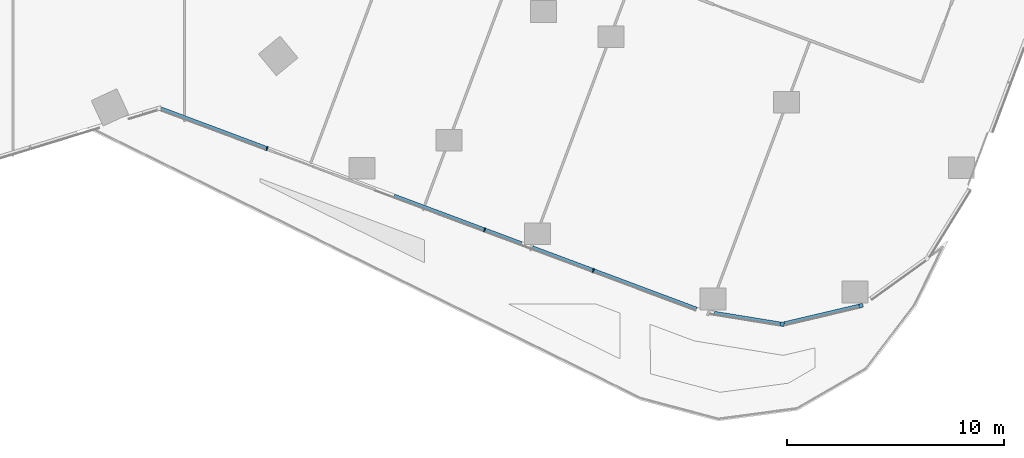
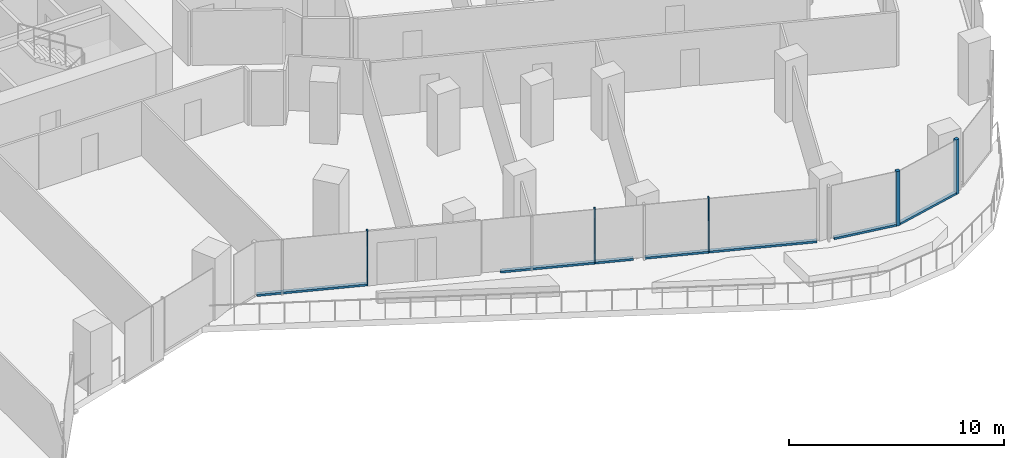
# One storey, part 7 of 30: 10 members, 3 elements without a shape of their own.
"""IFC4 building model written with IfcOpenShell, lengths in metres."""

from ifc_helpers import new_model, si_unit, direction, frame, origin, origin_2d, place, context, subcontext, project, spatial, rectangle, extrude, material, material_profile, profile_set, type_object, element, aggregate, save


model = new_model("IFC4")

# Units and contexts
model_context = context("Model", 3, precision=1e-05, world=origin(), true_north=direction((0.0, 1.0)))
body_context = subcontext(model_context, "Body", "Model", "MODEL_VIEW")
ifc_project = project(units=[si_unit("LENGTHUNIT", "METRE"), si_unit("AREAUNIT", "SQUARE_METRE"), si_unit("VOLUMEUNIT", "CUBIC_METRE"), si_unit("PLANEANGLEUNIT", "RADIAN"), si_unit("MASSUNIT", "GRAM", prefix="KILO")], contexts=[model_context])

# Site, building, storey
site_placement = place(None, origin())
site = spatial("IfcSite", under=ifc_project, at=site_placement, CompositionType="ELEMENT")
building_placement = place(site_placement, origin())
building = spatial("IfcBuilding", under=site, at=building_placement, Name="Orlundy Tower", CompositionType="ELEMENT")
storey_placement = place(building_placement, frame((0.0, 0.0, 80.699951171875)))
storey = spatial("IfcBuildingStorey", under=building, at=storey_placement, Name="L19", CompositionType="ELEMENT", Elevation=80.699951171875)

# Curtain wall, member
ifc_material_1 = material(Name="Aluminium bronze anodised", Category="aluminium")
curtain_wall_type = type_object("IfcCurtainWallType", Name="CW1 wall", PredefinedType="NOTDEFINED", material=ifc_material_1)
curtain_wall_1_placement = place(storey_placement, origin())
curtain_wall_1 = element("IfcCurtainWall", 1, at=curtain_wall_1_placement, inside=storey, type_object=curtain_wall_type, Name="CW1 run 014", PredefinedType="NOTDEFINED")
ifc_material_2 = material(Name="Aluminium bronze anodised", Category="aluminium")
ifc_material_profile_1 = material_profile(ifc_material_2, rectangle(XDim=0.179931640625, YDim=0.179931640625, at=origin_2d()), Name="CW1 corner post 180x180")
ifc_profile_set_1 = profile_set([ifc_material_profile_1], Name="Aluminium bronze anodised")
member_type_1 = type_object("IfcMemberType", Name="CW1 corner post 180x180", PredefinedType="MULLION", material=ifc_profile_set_1)
member_1_placement = place(storey_placement, frame((47.134033203125, -36.073486328125, 0.0), z_axis=(0.0, 0.0, 1.0), x_axis=(0.229309985845, -0.97335344577, 0.0)))
member_1 = element("IfcMember", 2, at=member_1_placement, type_object=member_type_1, Name="CW1 mullion 42", PredefinedType="MULLION", context=body_context, shape_type="SweptSolid", body=[
    extrude(rectangle(XDim=0.179931640625, YDim=0.179931640625, at=origin_2d()), origin(), (0.0, 0.0, 1.0), 3.10009765625),
])

curtain_wall_2_placement = place(storey_placement, origin())
curtain_wall_2 = element("IfcCurtainWall", 3, at=curtain_wall_2_placement, inside=storey, type_object=curtain_wall_type, Name="CW1 run 015", PredefinedType="NOTDEFINED")
member_2_placement = place(storey_placement, frame((43.4912109375, -36.931640625, 0.0), z_axis=(0.0, 0.0, 1.0), x_axis=(-0.160767268774, -0.986992343076, 0.0)))
member_2 = element("IfcMember", 4, at=member_2_placement, type_object=member_type_1, Name="CW1 mullion 43", PredefinedType="MULLION", context=body_context, shape_type="SweptSolid", body=[
    extrude(rectangle(XDim=0.179931640625, YDim=0.179931640625, at=origin_2d()), origin(), (0.0, 0.0, 1.0), 3.10009765625),
])

# Curtain wall, members
curtain_wall_3_placement = place(storey_placement, origin())
curtain_wall_3 = element("IfcCurtainWall", 5, at=curtain_wall_3_placement, inside=storey, type_object=curtain_wall_type, Name="CW1 run 016", PredefinedType="NOTDEFINED")
ifc_material_3 = material(Name="Aluminium bronze anodised", Category="aluminium")
ifc_material_profile_2 = material_profile(ifc_material_3, rectangle(XDim=0.179931640625, YDim=0.050048828125, at=origin_2d()), Name="CW1 mullion 50x180")
ifc_profile_set_2 = profile_set([ifc_material_profile_2], Name="Aluminium bronze anodised")
member_type_2 = type_object("IfcMemberType", Name="CW1 mullion 50x180", PredefinedType="MULLION", material=ifc_profile_set_2)
member_3_placement = place(storey_placement, frame((34.780029296875, -34.452392578125, 0.0), z_axis=(0.0, 0.0, 1.0), x_axis=(-0.350219011684, -0.936667840729, 0.0)))
member_3 = element("IfcMember", 6, at=member_3_placement, type_object=member_type_2, Name="CW1 mullion 45", PredefinedType="MULLION", context=body_context, shape_type="SweptSolid", body=[
    extrude(rectangle(XDim=0.179931640625, YDim=0.050048828125, at=origin_2d()), origin(), (0.0, 0.0, 1.0), 3.10009765625),
])
member_4_placement = place(storey_placement, frame((29.7626953125, -32.576416015625, 0.0), z_axis=(0.0, 0.0, 1.0), x_axis=(-0.350219011684, -0.936667840729, 0.0)))
member_4 = element("IfcMember", 7, at=member_4_placement, type_object=member_type_2, Name="CW1 mullion 46", PredefinedType="MULLION", context=body_context, shape_type="SweptSolid", body=[
    extrude(rectangle(XDim=0.179931640625, YDim=0.050048828125, at=origin_2d()), origin(), (0.0, 0.0, 1.0), 3.10009765625),
])
member_5_placement = place(storey_placement, frame((19.727783203125, -28.82421875, 0.0), z_axis=(0.0, 0.0, 1.0), x_axis=(-0.350219011684, -0.936667840729, 0.0)))
member_5 = element("IfcMember", 8, at=member_5_placement, type_object=member_type_2, Name="CW1 mullion 48", PredefinedType="MULLION", context=body_context, shape_type="SweptSolid", body=[
    extrude(rectangle(XDim=0.179931640625, YDim=0.050048828125, at=origin_2d()), origin(), (0.0, 0.0, 1.0), 3.10009765625),
])

# Member
ifc_material_4 = material(Name="Aluminium bronze anodised", Category="aluminium")
ifc_material_profile_3 = material_profile(ifc_material_4, rectangle(XDim=0.179931640625, YDim=0.1201171875, at=origin_2d()), Name="CW1 transom 180x120")
ifc_profile_set_3 = profile_set([ifc_material_profile_3], Name="Aluminium bronze anodised")
member_type_3 = type_object("IfcMemberType", Name="CW1 transom 180x120", PredefinedType="USERDEFINED", material=ifc_profile_set_3)
member_6_placement = place(storey_placement, frame((47.04638671875, -36.09423828125, 0.06005859375), z_axis=(-0.973356793262, -0.22929577626, 0.0), x_axis=(0.22929577626, -0.973356793262, 0.0)))
member_6 = element("IfcMember", 9, at=member_6_placement, type_object=member_type_3, Name="CW1 transom", ObjectType="TRANSOM", PredefinedType="USERDEFINED", context=body_context, shape_type="SweptSolid", body=[
    extrude(rectangle(XDim=0.179931640625, YDim=0.1201171875, at=origin_2d()), origin(), (0.0, 0.0, 1.0), 3.55517578125),
])

aggregate(curtain_wall_1, [member_1, member_6])

member_7_placement = place(storey_placement, frame((43.40234375, -36.917236328125, 0.06005859375), z_axis=(-0.986988010756, 0.160793863761, 0.0), x_axis=(-0.160793863761, -0.986988010756, 0.0)))
member_7 = element("IfcMember", 10, at=member_7_placement, type_object=member_type_3, Name="CW1 transom", ObjectType="TRANSOM", PredefinedType="USERDEFINED", context=body_context, shape_type="SweptSolid", body=[
    extrude(rectangle(XDim=0.179931640625, YDim=0.1201171875, at=origin_2d()), origin(), (0.0, 0.0, 1.0), 3.0869140625),
])

aggregate(curtain_wall_2, [member_2, member_7])

member_8_placement = place(storey_placement, frame((39.541015625, -36.232421875, 0.06005859375), z_axis=(-0.936672607981, 0.350206261306, 0.0), x_axis=(-0.350206261306, -0.936672607981, 0.0)))
member_8 = element("IfcMember", 11, at=member_8_placement, type_object=member_type_3, Name="CW1 transom", ObjectType="TRANSOM", PredefinedType="USERDEFINED", context=body_context, shape_type="SweptSolid", body=[
    extrude(rectangle(XDim=0.179931640625, YDim=0.1201171875, at=origin_2d()), origin(), (0.0, 0.0, 1.0), 8.081787109375),
])

member_9_placement = place(storey_placement, frame((31.452880859375, -33.208251953125, 0.06005859375), z_axis=(-0.936663696513, 0.350230095274, 0.0), x_axis=(-0.350230095274, -0.936663696513, 0.0)))
member_9 = element("IfcMember", 12, at=member_9_placement, type_object=member_type_3, Name="CW1 transom", ObjectType="TRANSOM", PredefinedType="USERDEFINED", context=body_context, shape_type="SweptSolid", body=[
    extrude(rectangle(XDim=0.179931640625, YDim=0.1201171875, at=origin_2d()), origin(), (0.0, 0.0, 1.0), 6.260498046875),
])

member_10_placement = place(storey_placement, frame((19.704345703125, -28.8154296875, 0.06005859375), z_axis=(-0.936673005804, 0.350205197276, 0.0), x_axis=(-0.350205197276, -0.936673005804, 0.0)))
member_10 = element("IfcMember", 13, at=member_10_placement, type_object=member_type_3, Name="CW1 transom", ObjectType="TRANSOM", PredefinedType="USERDEFINED", context=body_context, shape_type="SweptSolid", body=[
    extrude(rectangle(XDim=0.179931640625, YDim=0.1201171875, at=origin_2d()), origin(), (0.0, 0.0, 1.0), 5.1875),
])

aggregate(curtain_wall_3, [member_3, member_4, member_5, member_8, member_9, member_10])

save(model, "model.ifc")
